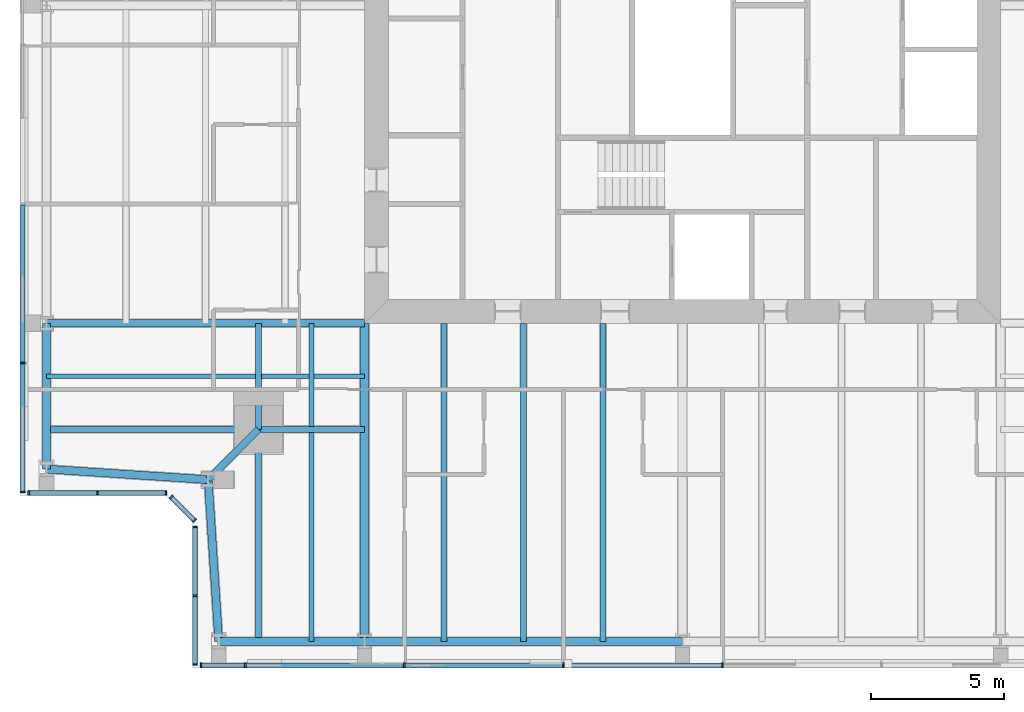
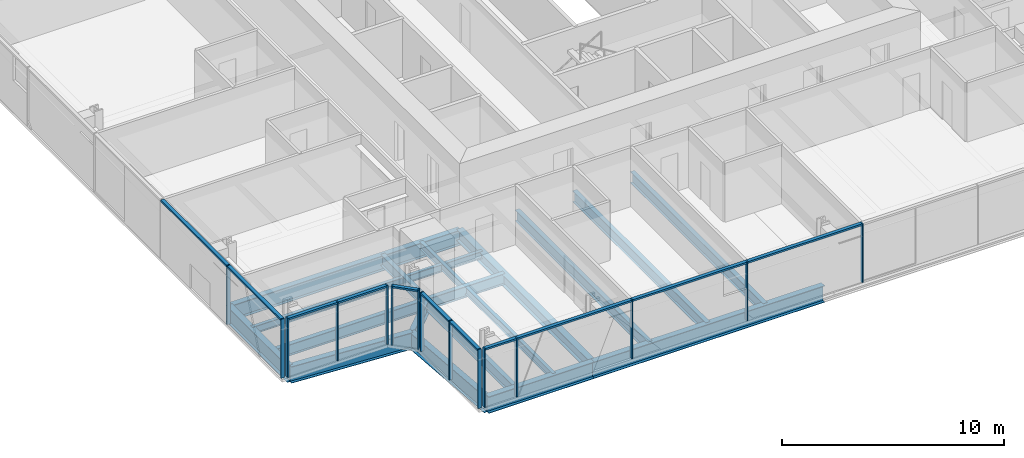
# One storey, part 2 of 18: 26 members, 20 beams, 5 elements without a shape of their own.
"""IFC4 building model written with IfcOpenShell, lengths in metres."""

from ifc_helpers import new_model, si_unit, direction, frame, origin, origin_2d, place, context, subcontext, project, spatial, rectangle, i_section, extrude, material, material_profile, profile_set, type_object, element, aggregate, save


model = new_model("IFC4")

# Units and contexts
model_context = context("Model", 3, precision=1e-05, world=origin(), true_north=direction((0.0, 1.0)))
body_context = subcontext(model_context, "Body", "Model", "MODEL_VIEW")
ifc_project = project(units=[si_unit("LENGTHUNIT", "METRE"), si_unit("AREAUNIT", "SQUARE_METRE"), si_unit("VOLUMEUNIT", "CUBIC_METRE"), si_unit("PLANEANGLEUNIT", "RADIAN"), si_unit("MASSUNIT", "GRAM", prefix="KILO")], contexts=[model_context])

# Site, building, storey
site_placement = place(None, origin())
site = spatial("IfcSite", under=ifc_project, at=site_placement, CompositionType="ELEMENT")
building_placement = place(site_placement, origin())
building = spatial("IfcBuilding", under=site, at=building_placement, Name="Fenwick Lantern Interchange", CompositionType="ELEMENT")
storey_placement = place(building_placement, frame((0.0, 0.0, 290.0)))
storey = spatial("IfcBuildingStorey", under=building, at=storey_placement, Name="L70", CompositionType="ELEMENT", Elevation=290.0)

# Beams
ifc_material_1 = material(Name="Steel ASTM A992 Grade 50", Category="steel")
ifc_material_profile_1 = material_profile(ifc_material_1, i_section(OverallWidth=0.3046875, OverallDepth=0.911865234375, WebThickness=0.015869140625, FlangeThickness=0.02392578125, at=origin_2d()), Name="W36X150")
ifc_profile_set_1 = profile_set([ifc_material_profile_1], Name="Steel ASTM A992 Grade 50")
beam_type_1 = type_object("IfcBeamType", Name="EDGE BEAM W36X150", PredefinedType="SPANDREL", material=ifc_profile_set_1)
beam_1_placement = place(storey_placement, frame((7.5, 1.0, -0.60595703125), z_axis=(1.0, 0.0, 0.0), x_axis=(0.0, 1.0, 0.0)))
element("IfcBeam", 1, at=beam_1_placement, inside=storey, type_object=beam_type_1, Name="L70/FR/S/EB1", PredefinedType="SPANDREL", context=body_context, shape_type="SweptSolid", body=[
    extrude(i_section(OverallWidth=0.3046875, OverallDepth=0.911865234375, WebThickness=0.015869140625, FlangeThickness=0.02392578125, at=origin_2d()), origin(), (0.0, 0.0, 1.0), 5.5),
])
beam_2_placement = place(storey_placement, frame((13.0, 1.0, -0.60595703125), z_axis=(1.0, 0.0, 0.0), x_axis=(0.0, 1.0, 0.0)))
element("IfcBeam", 2, at=beam_2_placement, inside=storey, type_object=beam_type_1, Name="L70/FR/S/EB2", PredefinedType="SPANDREL", context=body_context, shape_type="SweptSolid", body=[
    extrude(i_section(OverallWidth=0.3046875, OverallDepth=0.911865234375, WebThickness=0.015869140625, FlangeThickness=0.02392578125, at=origin_2d()), origin(), (0.0, 0.0, 1.0), 12.0),
])
beam_3_placement = place(storey_placement, frame((1.0, 13.0, -0.60595703125), z_axis=(0.0, -1.0, 0.0), x_axis=(1.0, 0.0, 0.0)))
element("IfcBeam", 3, at=beam_3_placement, inside=storey, type_object=beam_type_1, Name="L70/FR/W/EB4", PredefinedType="SPANDREL", context=body_context, shape_type="SweptSolid", body=[
    extrude(i_section(OverallWidth=0.3046875, OverallDepth=0.911865234375, WebThickness=0.015869140625, FlangeThickness=0.02392578125, at=origin_2d()), origin(), (0.0, 0.0, 1.0), 5.5),
])
for number, where, z_axis, x_axis, name in (
    (4, (1.0, 7.5, -0.60595703125), (0.997858060337, -0.065416293237, 0.0), (0.065416293237, 0.997858060337, 0.0), "L70/FR/W/EBR1"),
    (5, (7.10009765625, 7.10009765625, -0.60595703125), (0.065416293237, -0.997858060337, 0.0), (0.997858060337, 0.065416293237, 0.0), "L70/FR/W/EBR2"),
):
    element("IfcBeam", number, at=place(storey_placement, frame(where, z_axis=z_axis, x_axis=x_axis)), inside=storey, type_object=beam_type_1, Name=name, PredefinedType="SPANDREL", context=body_context, shape_type="SweptSolid", body=[
        extrude(i_section(OverallWidth=0.3046875, OverallDepth=0.911865234375, WebThickness=0.015869140625, FlangeThickness=0.02392578125, at=origin_2d()), origin(), (0.0, 0.0, 1.0), 6.11328125),
    ])
ifc_material_profile_2 = material_profile(ifc_material_1, i_section(OverallWidth=0.22900390625, OverallDepth=0.612060546875, WebThickness=0.011962890625, FlangeThickness=0.01953125, at=origin_2d()), Name="W24X84")
ifc_profile_set_2 = profile_set([ifc_material_profile_2], Name="Steel ASTM A992 Grade 50")
beam_type_2 = type_object("IfcBeamType", Name="FLOOR BEAM W24X84", PredefinedType="BEAM", material=ifc_profile_set_2)
for number, where, z_axis, x_axis, name in (
    (6, (16.0, 1.0, -0.4560546875), (0.0, 1.0, 0.0), (-1.0, 0.0, 0.0), "L70/FR/S/R02"),
    (7, (19.0, 1.0, -0.4560546875), (0.0, 1.0, 0.0), (-1.0, 0.0, 0.0), "L70/FR/S/R03"),
    (8, (22.0, 1.0, -0.4560546875), (0.0, 1.0, 0.0), (-1.0, 0.0, 0.0), "L70/FR/S/R04"),
):
    element("IfcBeam", number, at=place(storey_placement, frame(where, z_axis=z_axis, x_axis=x_axis)), inside=storey, type_object=beam_type_2, Name=name, PredefinedType="BEAM", context=body_context, shape_type="SweptSolid", body=[
        extrude(i_section(OverallWidth=0.22900390625, OverallDepth=0.612060546875, WebThickness=0.011962890625, FlangeThickness=0.01953125, at=origin_2d()), origin(), (0.0, 0.0, 1.0), 12.0),
    ])

# Curtain wall, members
ifc_material_2 = material(Name="Aluminium curtain wall frame", Category="aluminium")
curtain_wall_type = type_object("IfcCurtainWallType", Name="HOTEL CURTAIN WALL", PredefinedType="USERDEFINED", material=ifc_material_2)
curtain_wall_1_placement = place(storey_placement, origin())
curtain_wall_1 = element("IfcCurtainWall", 9, at=curtain_wall_1_placement, inside=storey, type_object=curtain_wall_type, Name="Hotel curtain wall 01", ObjectType="HOTEL CURTAIN WALL", PredefinedType="USERDEFINED")
ifc_material_3 = material(Name="Aluminium extrusion", Category="aluminium")
ifc_material_profile_3 = material_profile(ifc_material_3, rectangle(XDim=0.179931640625, YDim=0.06005859375, at=origin_2d()), Name="HOTEL CURTAIN WALL MULLION 60 X 180")
ifc_profile_set_3 = profile_set([ifc_material_profile_3], Name="Aluminium extrusion")
member_type_1 = type_object("IfcMemberType", Name="HOTEL CURTAIN WALL MULLION 60 X 180", PredefinedType="MULLION", material=ifc_profile_set_3)
member_1_placement = place(storey_placement, frame((6.830078125, 0.10009765625, 0.0), z_axis=(0.0, 0.0, 1.0), x_axis=(0.0, 1.0, 0.0)))
member_1 = element("IfcMember", 10, at=member_1_placement, type_object=member_type_1, Name="L70/CW/01/M00", PredefinedType="MULLION", context=body_context, shape_type="SweptSolid", body=[
    extrude(rectangle(XDim=0.179931640625, YDim=0.06005859375, at=origin_2d()), origin(), (0.0, 0.0, 1.0), 3.25),
])
member_2_placement = place(storey_placement, frame((8.5, 0.10009765625, 0.0), z_axis=(0.0, 0.0, 1.0), x_axis=(0.0, 1.0, 0.0)))
member_2 = element("IfcMember", 11, at=member_2_placement, type_object=member_type_1, Name="L70/CW/01/M01", PredefinedType="MULLION", context=body_context, shape_type="SweptSolid", body=[
    extrude(rectangle(XDim=0.179931640625, YDim=0.06005859375, at=origin_2d()), origin(), (0.0, 0.0, 1.0), 3.25),
])
member_3_placement = place(storey_placement, frame((14.5, 0.10009765625, 0.0), z_axis=(0.0, 0.0, 1.0), x_axis=(0.0, 1.0, 0.0)))
member_3 = element("IfcMember", 12, at=member_3_placement, type_object=member_type_1, Name="L70/CW/01/M02", PredefinedType="MULLION", context=body_context, shape_type="SweptSolid", body=[
    extrude(rectangle(XDim=0.179931640625, YDim=0.06005859375, at=origin_2d()), origin(), (0.0, 0.0, 1.0), 3.25),
])
member_4_placement = place(storey_placement, frame((20.5, 0.10009765625, 0.0), z_axis=(0.0, 0.0, 1.0), x_axis=(0.0, 1.0, 0.0)))
member_4 = element("IfcMember", 13, at=member_4_placement, type_object=member_type_1, Name="L70/CW/01/M03", PredefinedType="MULLION", context=body_context, shape_type="SweptSolid", body=[
    extrude(rectangle(XDim=0.179931640625, YDim=0.06005859375, at=origin_2d()), origin(), (0.0, 0.0, 1.0), 3.25),
])
member_5_placement = place(storey_placement, frame((26.5, 0.10009765625, 0.0), z_axis=(0.0, 0.0, 1.0), x_axis=(0.0, 1.0, 0.0)))
member_5 = element("IfcMember", 14, at=member_5_placement, type_object=member_type_1, Name="L70/CW/01/M04", PredefinedType="MULLION", context=body_context, shape_type="SweptSolid", body=[
    extrude(rectangle(XDim=0.179931640625, YDim=0.06005859375, at=origin_2d()), origin(), (0.0, 0.0, 1.0), 3.25),
])

curtain_wall_2_placement = place(storey_placement, origin())
curtain_wall_2 = element("IfcCurtainWall", 15, at=curtain_wall_2_placement, inside=storey, type_object=curtain_wall_type, Name="Hotel curtain wall 13", ObjectType="HOTEL CURTAIN WALL", PredefinedType="USERDEFINED")
member_6_placement = place(storey_placement, frame((0.10009765625, 11.5, 0.0), z_axis=(0.0, 0.0, 1.0), x_axis=(1.0, 0.0, 0.0)))
member_6 = element("IfcMember", 16, at=member_6_placement, type_object=member_type_1, Name="L70/CW/13/M06", PredefinedType="MULLION", context=body_context, shape_type="SweptSolid", body=[
    extrude(rectangle(XDim=0.179931640625, YDim=0.06005859375, at=origin_2d()), origin(), (0.0, 0.0, 1.0), 3.25),
])
member_7_placement = place(storey_placement, frame((0.10009765625, 6.6298828125, 0.0), z_axis=(0.0, 0.0, 1.0), x_axis=(1.0, 0.0, 0.0)))
member_7 = element("IfcMember", 17, at=member_7_placement, type_object=member_type_1, Name="L70/CW/13/M07", PredefinedType="MULLION", context=body_context, shape_type="SweptSolid", body=[
    extrude(rectangle(XDim=0.179931640625, YDim=0.06005859375, at=origin_2d()), origin(), (0.0, 0.0, 1.0), 3.25),
])

curtain_wall_3_placement = place(storey_placement, origin())
curtain_wall_3 = element("IfcCurtainWall", 18, at=curtain_wall_3_placement, inside=storey, type_object=curtain_wall_type, Name="Hotel curtain wall 14", ObjectType="HOTEL CURTAIN WALL", PredefinedType="USERDEFINED")
member_8_placement = place(storey_placement, frame((0.330078125, 6.60009765625, 0.0), z_axis=(0.0, 0.0, 1.0), x_axis=(0.0, 1.0, 0.0)))
member_8 = element("IfcMember", 19, at=member_8_placement, type_object=member_type_1, Name="L70/CW/14/M00", PredefinedType="MULLION", context=body_context, shape_type="SweptSolid", body=[
    extrude(rectangle(XDim=0.179931640625, YDim=0.06005859375, at=origin_2d()), origin(), (0.0, 0.0, 1.0), 3.25),
])
member_9_placement = place(storey_placement, frame((2.920654296875, 6.60009765625, 0.0), z_axis=(0.0, 0.0, 1.0), x_axis=(0.0, 1.0, 0.0)))
member_9 = element("IfcMember", 20, at=member_9_placement, type_object=member_type_1, Name="L70/CW/14/M01", PredefinedType="MULLION", context=body_context, shape_type="SweptSolid", body=[
    extrude(rectangle(XDim=0.179931640625, YDim=0.06005859375, at=origin_2d()), origin(), (0.0, 0.0, 1.0), 3.25),
])
member_10_placement = place(storey_placement, frame((5.511474609375, 6.60009765625, 0.0), z_axis=(0.0, 0.0, 1.0), x_axis=(0.0, 1.0, 0.0)))
member_10 = element("IfcMember", 21, at=member_10_placement, type_object=member_type_1, Name="L70/CW/14/M02", PredefinedType="MULLION", context=body_context, shape_type="SweptSolid", body=[
    extrude(rectangle(XDim=0.179931640625, YDim=0.06005859375, at=origin_2d()), origin(), (0.0, 0.0, 1.0), 3.25),
])

curtain_wall_4_placement = place(storey_placement, origin())
curtain_wall_4 = element("IfcCurtainWall", 22, at=curtain_wall_4_placement, inside=storey, type_object=curtain_wall_type, Name="Hotel curtain wall 15", ObjectType="HOTEL CURTAIN WALL", PredefinedType="USERDEFINED")
member_11_placement = place(storey_placement, frame((5.7041015625, 6.437255859375, 0.0), z_axis=(0.0, 0.0, 1.0), x_axis=(0.707106781187, 0.707106781187, 0.0)))
member_11 = element("IfcMember", 23, at=member_11_placement, type_object=member_type_1, Name="L70/CW/15/M00", PredefinedType="MULLION", context=body_context, shape_type="SweptSolid", body=[
    extrude(rectangle(XDim=0.179931640625, YDim=0.06005859375, at=origin_2d()), origin(), (0.0, 0.0, 1.0), 3.25),
])
member_12_placement = place(storey_placement, frame((6.578857421875, 5.562744140625, 0.0), z_axis=(0.0, 0.0, 1.0), x_axis=(0.707106781187, 0.707106781187, 0.0)))
member_12 = element("IfcMember", 24, at=member_12_placement, type_object=member_type_1, Name="L70/CW/15/M01", PredefinedType="MULLION", context=body_context, shape_type="SweptSolid", body=[
    extrude(rectangle(XDim=0.179931640625, YDim=0.06005859375, at=origin_2d()), origin(), (0.0, 0.0, 1.0), 3.25),
])

curtain_wall_5_placement = place(storey_placement, origin())
curtain_wall_5 = element("IfcCurtainWall", 25, at=curtain_wall_5_placement, inside=storey, type_object=curtain_wall_type, Name="Hotel curtain wall 16", ObjectType="HOTEL CURTAIN WALL", PredefinedType="USERDEFINED")
member_13_placement = place(storey_placement, frame((6.60009765625, 5.3115234375, 0.0), z_axis=(0.0, 0.0, 1.0), x_axis=(1.0, 0.0, 0.0)))
member_13 = element("IfcMember", 26, at=member_13_placement, type_object=member_type_1, Name="L70/CW/16/M00", PredefinedType="MULLION", context=body_context, shape_type="SweptSolid", body=[
    extrude(rectangle(XDim=0.179931640625, YDim=0.06005859375, at=origin_2d()), origin(), (0.0, 0.0, 1.0), 3.25),
])
member_14_placement = place(storey_placement, frame((6.60009765625, 2.720703125, 0.0), z_axis=(0.0, 0.0, 1.0), x_axis=(1.0, 0.0, 0.0)))
member_14 = element("IfcMember", 27, at=member_14_placement, type_object=member_type_1, Name="L70/CW/16/M01", PredefinedType="MULLION", context=body_context, shape_type="SweptSolid", body=[
    extrude(rectangle(XDim=0.179931640625, YDim=0.06005859375, at=origin_2d()), origin(), (0.0, 0.0, 1.0), 3.25),
])
member_15_placement = place(storey_placement, frame((6.60009765625, 0.1298828125, 0.0), z_axis=(0.0, 0.0, 1.0), x_axis=(1.0, 0.0, 0.0)))
member_15 = element("IfcMember", 28, at=member_15_placement, type_object=member_type_1, Name="L70/CW/16/M02", PredefinedType="MULLION", context=body_context, shape_type="SweptSolid", body=[
    extrude(rectangle(XDim=0.179931640625, YDim=0.06005859375, at=origin_2d()), origin(), (0.0, 0.0, 1.0), 3.25),
])

# Member
ifc_material_profile_4 = material_profile(ifc_material_3, rectangle(XDim=0.179931640625, YDim=0.10009765625, at=origin_2d()), Name="HOTEL CURTAIN WALL TRANSOM 100 X 180")
ifc_profile_set_4 = profile_set([ifc_material_profile_4], Name="Aluminium extrusion")
member_type_2 = type_object("IfcMemberType", Name="HOTEL CURTAIN WALL TRANSOM 100 X 180", PredefinedType="MULLION", material=ifc_profile_set_4)
member_16_placement = place(storey_placement, frame((6.860107421875, 0.10009765625, 3.199951171875), z_axis=(1.0, 0.0, 0.0), x_axis=(0.0, 1.0, 0.0)))
member_16 = element("IfcMember", 29, at=member_16_placement, type_object=member_type_2, Name="L70/CW/01/T00", PredefinedType="MULLION", context=body_context, shape_type="SweptSolid", body=[
    extrude(rectangle(XDim=0.179931640625, YDim=0.10009765625, at=origin_2d()), origin(), (0.0, 0.0, 1.0), 1.60986328125),
])

member_17_placement = place(storey_placement, frame((8.530029296875, 0.10009765625, 3.199951171875), z_axis=(1.0, 0.0, 0.0), x_axis=(0.0, 1.0, 0.0)))
member_17 = element("IfcMember", 30, at=member_17_placement, type_object=member_type_2, Name="L70/CW/01/T01", PredefinedType="MULLION", context=body_context, shape_type="SweptSolid", body=[
    extrude(rectangle(XDim=0.179931640625, YDim=0.10009765625, at=origin_2d()), origin(), (0.0, 0.0, 1.0), 5.93994140625),
])

member_18_placement = place(storey_placement, frame((14.530029296875, 0.10009765625, 3.199951171875), z_axis=(1.0, 0.0, 0.0), x_axis=(0.0, 1.0, 0.0)))
member_18 = element("IfcMember", 31, at=member_18_placement, type_object=member_type_2, Name="L70/CW/01/T02", PredefinedType="MULLION", context=body_context, shape_type="SweptSolid", body=[
    extrude(rectangle(XDim=0.179931640625, YDim=0.10009765625, at=origin_2d()), origin(), (0.0, 0.0, 1.0), 5.93994140625),
])

member_19_placement = place(storey_placement, frame((20.530029296875, 0.10009765625, 3.199951171875), z_axis=(1.0, 0.0, 0.0), x_axis=(0.0, 1.0, 0.0)))
member_19 = element("IfcMember", 32, at=member_19_placement, type_object=member_type_2, Name="L70/CW/01/T03", PredefinedType="MULLION", context=body_context, shape_type="SweptSolid", body=[
    extrude(rectangle(XDim=0.179931640625, YDim=0.10009765625, at=origin_2d()), origin(), (0.0, 0.0, 1.0), 5.93994140625),
])

aggregate(curtain_wall_1, [member_1, member_2, member_3, member_4, member_5, member_16, member_17, member_18, member_19])

member_20_placement = place(storey_placement, frame((0.10009765625, 17.469970703125, 3.199951171875), z_axis=(0.0, -1.0, 0.0), x_axis=(1.0, 0.0, 0.0)))
member_20 = element("IfcMember", 33, at=member_20_placement, type_object=member_type_2, Name="L70/CW/13/T05", PredefinedType="MULLION", context=body_context, shape_type="SweptSolid", body=[
    extrude(rectangle(XDim=0.179931640625, YDim=0.10009765625, at=origin_2d()), origin(), (0.0, 0.0, 1.0), 5.93994140625),
])

member_21_placement = place(storey_placement, frame((0.10009765625, 11.469970703125, 3.199951171875), z_axis=(0.0, -1.0, 0.0), x_axis=(1.0, 0.0, 0.0)))
member_21 = element("IfcMember", 34, at=member_21_placement, type_object=member_type_2, Name="L70/CW/13/T06", PredefinedType="MULLION", context=body_context, shape_type="SweptSolid", body=[
    extrude(rectangle(XDim=0.179931640625, YDim=0.10009765625, at=origin_2d()), origin(), (0.0, 0.0, 1.0), 4.81005859375),
])

aggregate(curtain_wall_2, [member_6, member_7, member_20, member_21])

member_22_placement = place(storey_placement, frame((0.360107421875, 6.60009765625, 3.199951171875), z_axis=(1.0, 0.0, 0.0), x_axis=(0.0, 1.0, 0.0)))
member_22 = element("IfcMember", 35, at=member_22_placement, type_object=member_type_2, Name="L70/CW/14/T00", PredefinedType="MULLION", context=body_context, shape_type="SweptSolid", body=[
    extrude(rectangle(XDim=0.179931640625, YDim=0.10009765625, at=origin_2d()), origin(), (0.0, 0.0, 1.0), 2.530517578125),
])

member_23_placement = place(storey_placement, frame((2.95068359375, 6.60009765625, 3.199951171875), z_axis=(1.0, 0.0, 0.0), x_axis=(0.0, 1.0, 0.0)))
member_23 = element("IfcMember", 36, at=member_23_placement, type_object=member_type_2, Name="L70/CW/14/T01", PredefinedType="MULLION", context=body_context, shape_type="SweptSolid", body=[
    extrude(rectangle(XDim=0.179931640625, YDim=0.10009765625, at=origin_2d()), origin(), (0.0, 0.0, 1.0), 2.53076171875),
])

aggregate(curtain_wall_3, [member_8, member_9, member_10, member_22, member_23])

member_24_placement = place(storey_placement, frame((5.725341796875, 6.416259765625, 3.199951171875), z_axis=(0.707003077033, -0.707210470133, 0.0), x_axis=(0.707210470133, 0.707003077033, 0.0)))
member_24 = element("IfcMember", 37, at=member_24_placement, type_object=member_type_2, Name="L70/CW/15/T00", PredefinedType="MULLION", context=body_context, shape_type="SweptSolid", body=[
    extrude(rectangle(XDim=0.179931640625, YDim=0.10009765625, at=origin_2d()), origin(), (0.0, 0.0, 1.0), 1.17724609375),
])

aggregate(curtain_wall_4, [member_11, member_12, member_24])

member_25_placement = place(storey_placement, frame((6.60009765625, 5.281494140625, 3.199951171875), z_axis=(0.0, -1.0, 0.0), x_axis=(1.0, 0.0, 0.0)))
member_25 = element("IfcMember", 38, at=member_25_placement, type_object=member_type_2, Name="L70/CW/16/T00", PredefinedType="MULLION", context=body_context, shape_type="SweptSolid", body=[
    extrude(rectangle(XDim=0.179931640625, YDim=0.10009765625, at=origin_2d()), origin(), (0.0, 0.0, 1.0), 2.53076171875),
])

member_26_placement = place(storey_placement, frame((6.60009765625, 2.690673828125, 3.199951171875), z_axis=(0.0, -1.0, 0.0), x_axis=(1.0, 0.0, 0.0)))
member_26 = element("IfcMember", 39, at=member_26_placement, type_object=member_type_2, Name="L70/CW/16/T01", PredefinedType="MULLION", context=body_context, shape_type="SweptSolid", body=[
    extrude(rectangle(XDim=0.179931640625, YDim=0.10009765625, at=origin_2d()), origin(), (0.0, 0.0, 1.0), 2.53076171875),
])

aggregate(curtain_wall_5, [member_13, member_14, member_15, member_25, member_26])

# Beams
ifc_material_profile_5 = material_profile(ifc_material_1, i_section(OverallWidth=0.177734375, OverallDepth=0.406494140625, WebThickness=0.0078125, FlangeThickness=0.012939453125, at=origin_2d()), Name="W16X40")
ifc_profile_set_5 = profile_set([ifc_material_profile_5], Name="Steel ASTM A992 Grade 50")
beam_type_3 = type_object("IfcBeamType", Name="INFILL BEAM W16X40", PredefinedType="JOIST", material=ifc_profile_set_5)
beam_4_placement = place(storey_placement, frame((11.0, 1.0, -0.353271484375), z_axis=(0.0, 1.0, 0.0), x_axis=(-1.0, 0.0, 0.0)))
element("IfcBeam", 40, at=beam_4_placement, inside=storey, type_object=beam_type_3, Name="L70/FR/S/J1", PredefinedType="JOIST", context=body_context, shape_type="SweptSolid", body=[
    extrude(i_section(OverallWidth=0.177734375, OverallDepth=0.406494140625, WebThickness=0.0078125, FlangeThickness=0.012939453125, at=origin_2d()), origin(), (0.0, 0.0, 1.0), 7.885498046875),
])
beam_5_placement = place(storey_placement, frame((11.0, 9.114501953125, -0.353271484375), z_axis=(0.0, 1.0, 0.0), x_axis=(-1.0, 0.0, 0.0)))
element("IfcBeam", 41, at=beam_5_placement, inside=storey, type_object=beam_type_3, Name="L70/FR/S/J2", PredefinedType="JOIST", context=body_context, shape_type="SweptSolid", body=[
    extrude(i_section(OverallWidth=0.177734375, OverallDepth=0.406494140625, WebThickness=0.0078125, FlangeThickness=0.012939453125, at=origin_2d()), origin(), (0.0, 0.0, 1.0), 3.885498046875),
])
beam_6_placement = place(storey_placement, frame((1.0, 11.0, -0.353271484375), z_axis=(1.0, 0.0, 0.0), x_axis=(0.0, 1.0, 0.0)))
element("IfcBeam", 42, at=beam_6_placement, inside=storey, type_object=beam_type_3, Name="L70/FR/S/J3", PredefinedType="JOIST", context=body_context, shape_type="SweptSolid", body=[
    extrude(i_section(OverallWidth=0.177734375, OverallDepth=0.406494140625, WebThickness=0.0078125, FlangeThickness=0.012939453125, at=origin_2d()), origin(), (0.0, 0.0, 1.0), 7.885498046875),
])
beam_7_placement = place(storey_placement, frame((9.114501953125, 11.0, -0.353271484375), z_axis=(1.0, 0.0, 0.0), x_axis=(0.0, 1.0, 0.0)))
element("IfcBeam", 43, at=beam_7_placement, inside=storey, type_object=beam_type_3, Name="L70/FR/S/J4", PredefinedType="JOIST", context=body_context, shape_type="SweptSolid", body=[
    extrude(i_section(OverallWidth=0.177734375, OverallDepth=0.406494140625, WebThickness=0.0078125, FlangeThickness=0.012939453125, at=origin_2d()), origin(), (0.0, 0.0, 1.0), 1.796630859375),
])
beam_8_placement = place(storey_placement, frame((11.0888671875, 11.0, -0.353271484375), z_axis=(1.0, 0.0, 0.0), x_axis=(0.0, 1.0, 0.0)))
element("IfcBeam", 44, at=beam_8_placement, inside=storey, type_object=beam_type_3, Name="L70/FR/S/J5", PredefinedType="JOIST", context=body_context, shape_type="SweptSolid", body=[
    extrude(i_section(OverallWidth=0.177734375, OverallDepth=0.406494140625, WebThickness=0.0078125, FlangeThickness=0.012939453125, at=origin_2d()), origin(), (0.0, 0.0, 1.0), 1.9111328125),
])
ifc_material_profile_6 = material_profile(ifc_material_1, i_section(OverallWidth=0.22900390625, OverallDepth=0.612060546875, WebThickness=0.011962890625, FlangeThickness=0.01953125, at=origin_2d()), Name="W24X84")
ifc_profile_set_6 = profile_set([ifc_material_profile_6], Name="Steel ASTM A992 Grade 50")
beam_type_4 = type_object("IfcBeamType", Name="MEGA COLUMN BEAM W24X84", PredefinedType="BEAM", material=ifc_profile_set_6)
for number, where, z_axis, x_axis, name in (
    (45, (9.0, 9.0, -0.4560546875), (0.0, -1.0, 0.0), (1.0, 0.0, 0.0), "L70/FR/S/MB1"),
    (46, (9.0, 9.0, -0.4560546875), (-1.0, 0.0, 0.0), (0.0, -1.0, 0.0), "L70/FR/S/MB2"),
):
    element("IfcBeam", number, at=place(storey_placement, frame(where, z_axis=z_axis, x_axis=x_axis)), inside=storey, type_object=beam_type_4, Name=name, PredefinedType="BEAM", context=body_context, shape_type="SweptSolid", body=[
        extrude(i_section(OverallWidth=0.22900390625, OverallDepth=0.612060546875, WebThickness=0.011962890625, FlangeThickness=0.01953125, at=origin_2d()), origin(), (0.0, 0.0, 1.0), 8.0),
    ])
for number, where, z_axis, x_axis, name in (
    (47, (9.0, 9.0, -0.4560546875), (1.0, 0.0, 0.0), (0.0, 1.0, 0.0), "L70/FR/S/MB3"),
    (48, (9.0, 9.0, -0.4560546875), (0.0, 1.0, 0.0), (-1.0, 0.0, 0.0), "L70/FR/S/MB4"),
):
    element("IfcBeam", number, at=place(storey_placement, frame(where, z_axis=z_axis, x_axis=x_axis)), inside=storey, type_object=beam_type_4, Name=name, PredefinedType="BEAM", context=body_context, shape_type="SweptSolid", body=[
        extrude(i_section(OverallWidth=0.22900390625, OverallDepth=0.612060546875, WebThickness=0.011962890625, FlangeThickness=0.01953125, at=origin_2d()), origin(), (0.0, 0.0, 1.0), 4.0),
    ])
ifc_material_profile_7 = material_profile(ifc_material_1, i_section(OverallWidth=0.32763671875, OverallDepth=0.622314453125, WebThickness=0.015380859375, FlangeThickness=0.0244140625, at=origin_2d()), Name="W24X131")
ifc_profile_set_7 = profile_set([ifc_material_profile_7], Name="Steel ASTM A992 Grade 50")
beam_type_5 = type_object("IfcBeamType", Name="MOMENT-CONNECTED GIRDER W24X131", PredefinedType="BEAM", material=ifc_profile_set_7)
beam_9_placement = place(storey_placement, frame((13.0, 1.0, -0.461181640625), z_axis=(0.0, 1.0, 0.0), x_axis=(-1.0, 0.0, 0.0)))
element("IfcBeam", 49, at=beam_9_placement, inside=storey, type_object=beam_type_5, Name="L70/FR/S/R01", PredefinedType="BEAM", context=body_context, shape_type="SweptSolid", body=[
    extrude(i_section(OverallWidth=0.32763671875, OverallDepth=0.622314453125, WebThickness=0.015380859375, FlangeThickness=0.0244140625, at=origin_2d()), origin(), (0.0, 0.0, 1.0), 12.0),
])
ifc_material_profile_8 = material_profile(ifc_material_1, i_section(OverallWidth=0.2919921875, OverallDepth=0.845703125, WebThickness=0.015380859375, FlangeThickness=0.0244140625, at=origin_2d()), Name="W33X141")
ifc_profile_set_8 = profile_set([ifc_material_profile_8], Name="Steel ASTM A992 Grade 50")
beam_type_6 = type_object("IfcBeamType", Name="MOMENT-CONNECTED GIRDER W33X141", PredefinedType="BEAM", material=ifc_profile_set_8)
beam_10_placement = place(storey_placement, frame((1.0, 13.0, -0.572998046875), z_axis=(1.0, 0.0, 0.0), x_axis=(0.0, 1.0, 0.0)))
element("IfcBeam", 50, at=beam_10_placement, inside=storey, type_object=beam_type_6, Name="L70/FR/W/R03", PredefinedType="BEAM", context=body_context, shape_type="SweptSolid", body=[
    extrude(i_section(OverallWidth=0.2919921875, OverallDepth=0.845703125, WebThickness=0.015380859375, FlangeThickness=0.0244140625, at=origin_2d()), origin(), (0.0, 0.0, 1.0), 12.0),
])
ifc_material_profile_9 = material_profile(ifc_material_1, i_section(OverallWidth=0.2666015625, OverallDepth=0.7568359375, WebThickness=0.013916015625, FlangeThickness=0.019287109375, at=origin_2d()), Name="W30X108")
ifc_profile_set_9 = profile_set([ifc_material_profile_9], Name="Steel ASTM A992 Grade 50")
beam_type_7 = type_object("IfcBeamType", Name="NOTCH BEAM W30X108", PredefinedType="BEAM", material=ifc_profile_set_9)
beam_11_placement = place(storey_placement, frame((9.0, 9.0, -0.528564453125), z_axis=(-0.707106781187, -0.707106781187, 0.0), x_axis=(0.707106781187, -0.707106781187, 0.0)))
element("IfcBeam", 51, at=beam_11_placement, inside=storey, type_object=beam_type_7, Name="L70/FR/S/TG", PredefinedType="BEAM", context=body_context, shape_type="SweptSolid", body=[
    extrude(i_section(OverallWidth=0.2666015625, OverallDepth=0.7568359375, WebThickness=0.013916015625, FlangeThickness=0.019287109375, at=origin_2d()), origin(), (0.0, 0.0, 1.0), 2.686767578125),
])

save(model, "model.ifc")
